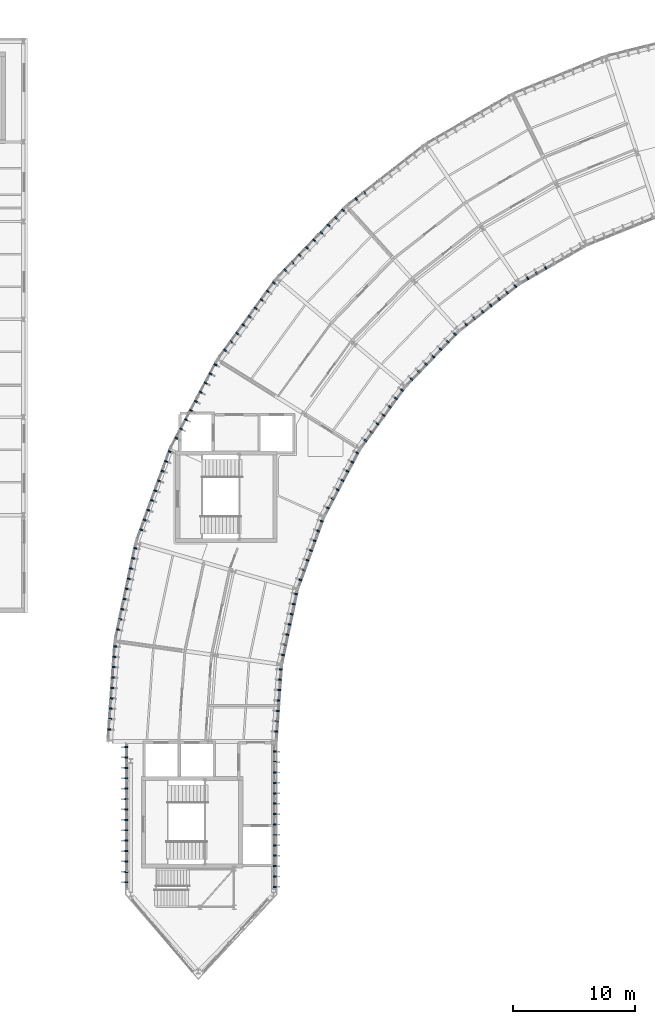
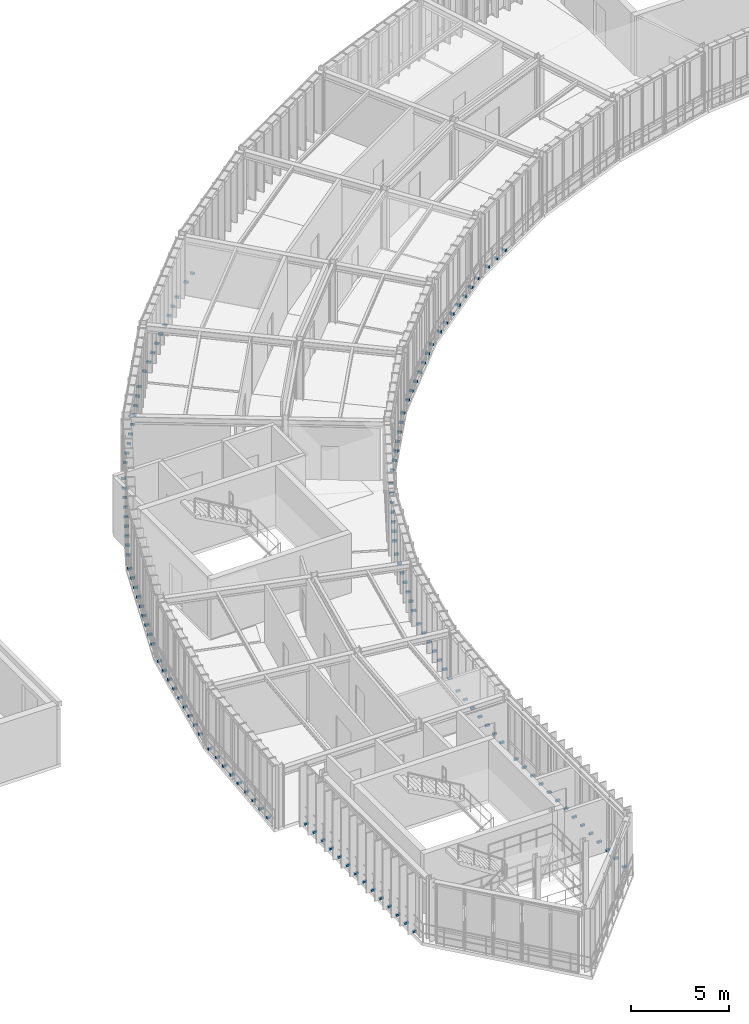
# One storey, part 33 of 41: 136 discrete accessories.
"""IFC4 building model written with IfcOpenShell, lengths in metres."""

from ifc_helpers import new_model, si_unit, direction, frame, origin, origin_2d, place, context, subcontext, project, spatial, rectangle, extrude, material, type_object, element, save


model = new_model("IFC4")

# Units and contexts
model_context = context("Model", 3, precision=1e-05, world=origin(), true_north=direction((0.0, 1.0)))
body_context = subcontext(model_context, "Body", "Model", "MODEL_VIEW")
ifc_project = project(units=[si_unit("LENGTHUNIT", "METRE"), si_unit("AREAUNIT", "SQUARE_METRE"), si_unit("VOLUMEUNIT", "CUBIC_METRE"), si_unit("PLANEANGLEUNIT", "RADIAN"), si_unit("MASSUNIT", "GRAM", prefix="KILO"), si_unit("THERMODYNAMICTEMPERATUREUNIT", "KELVIN"), si_unit("POWERUNIT", "WATT")], contexts=[model_context])

# Site, building, storey
site_placement = place(None, origin())
site = spatial("IfcSite", under=ifc_project, at=site_placement, CompositionType="ELEMENT")
building_placement = place(site_placement, origin())
building = spatial("IfcBuilding", under=site, at=building_placement, Name="Solvatero Civic Police Headquarters", CompositionType="ELEMENT")
storey_placement = place(building_placement, frame((0.0, 0.0, 17.699951171875)))
storey = spatial("IfcBuildingStorey", under=building, at=storey_placement, Name="L04", CompositionType="ELEMENT", Elevation=17.699951171875)

# Discrete accessories
ifc_material = material(Name="Steel S355", Category="steel")
discrete_accessory_type = type_object("IfcDiscreteAccessoryType", Name="ACC-BRK-FIN", PredefinedType="BRACKET", material=ifc_material)
for number, where, z_axis, x_axis, name in (
    (1, (70.9013671875, 64.695068359375, 0.0), (0.0, 0.0, 1.0), (-0.866025403784, -0.5, 0.0), "Slab-Edge Fin Bracket 0855"),
    (2, (70.165283203125, 64.27001953125, 0.0), (0.0, 0.0, 1.0), (-0.866025403784, -0.5, 0.0), "Slab-Edge Fin Bracket 0856"),
    (3, (69.42919921875, 63.844970703125, 0.0), (0.0, 0.0, 1.0), (-0.866025403784, -0.5, 0.0), "Slab-Edge Fin Bracket 0857"),
    (4, (56.0810546875, 70.848876953125, 0.0), (0.0, 0.0, 1.0), (-0.788010753607, -0.615661475326, 0.0), "Slab-Edge Fin Bracket 0865"),
    (5, (55.411376953125, 70.32568359375, 0.0), (0.0, 0.0, 1.0), (-0.788010753607, -0.615661475326, 0.0), "Slab-Edge Fin Bracket 0866"),
    (6, (68.427978515625, 63.203125, 0.0), (0.0, 0.0, 1.0), (-0.788010753607, -0.615661475326, 0.0), "Slab-Edge Fin Bracket 0867"),
    (7, (67.75830078125, 62.6796875, 0.0), (0.0, 0.0, 1.0), (-0.788010753607, -0.615661475326, 0.0), "Slab-Edge Fin Bracket 0868"),
    (8, (67.08837890625, 62.156494140625, 0.0), (0.0, 0.0, 1.0), (-0.788010753607, -0.615661475326, 0.0), "Slab-Edge Fin Bracket 0869"),
    (9, (66.418701171875, 61.633056640625, 0.0), (0.0, 0.0, 1.0), (-0.788010753607, -0.615661475326, 0.0), "Slab-Edge Fin Bracket 0870"),
    (10, (65.748779296875, 61.10986328125, 0.0), (0.0, 0.0, 1.0), (-0.788010753607, -0.615661475326, 0.0), "Slab-Edge Fin Bracket 0871"),
    (11, (65.0791015625, 60.58642578125, 0.0), (0.0, 0.0, 1.0), (-0.788010753607, -0.615661475326, 0.0), "Slab-Edge Fin Bracket 0872"),
    (12, (64.4091796875, 60.063232421875, 0.0), (0.0, 0.0, 1.0), (-0.788010753607, -0.615661475326, 0.0), "Slab-Edge Fin Bracket 0873"),
    (13, (54.334716796875, 69.407958984375, 0.0), (0.0, 0.0, 1.0), (-0.694645815505, -0.719351924305, 0.0), "Slab-Edge Fin Bracket 0874"),
    (14, (53.744140625, 68.796630859375, 0.0), (0.0, 0.0, 1.0), (-0.694645815505, -0.719351924305, 0.0), "Slab-Edge Fin Bracket 0875"),
    (15, (53.15380859375, 68.18505859375, 0.0), (0.0, 0.0, 1.0), (-0.694645815505, -0.719351924305, 0.0), "Slab-Edge Fin Bracket 0876"),
    (16, (52.563232421875, 67.57373046875, 0.0), (0.0, 0.0, 1.0), (-0.694645815505, -0.719351924305, 0.0), "Slab-Edge Fin Bracket 0877"),
    (17, (51.972900390625, 66.962158203125, 0.0), (0.0, 0.0, 1.0), (-0.694645815505, -0.719351924305, 0.0), "Slab-Edge Fin Bracket 0878"),
    (18, (51.38232421875, 66.350830078125, 0.0), (0.0, 0.0, 1.0), (-0.694645815505, -0.719351924305, 0.0), "Slab-Edge Fin Bracket 0879"),
    (19, (50.7919921875, 65.7392578125, 0.0), (0.0, 0.0, 1.0), (-0.694645815505, -0.719351924305, 0.0), "Slab-Edge Fin Bracket 0880"),
    (20, (50.201416015625, 65.1279296875, 0.0), (0.0, 0.0, 1.0), (-0.694645815505, -0.719351924305, 0.0), "Slab-Edge Fin Bracket 0881"),
    (21, (49.611083984375, 64.5166015625, 0.0), (0.0, 0.0, 1.0), (-0.694645815505, -0.719351924305, 0.0), "Slab-Edge Fin Bracket 0882"),
    (22, (63.4921875, 59.27490234375, 0.0), (0.0, 0.0, 1.0), (-0.694658370459, -0.719339800339, 0.0), "Slab-Edge Fin Bracket 0883"),
    (23, (62.901611328125, 58.663330078125, 0.0), (0.0, 0.0, 1.0), (-0.694658370459, -0.719339800339, 0.0), "Slab-Edge Fin Bracket 0884"),
    (24, (62.311279296875, 58.052001953125, 0.0), (0.0, 0.0, 1.0), (-0.694658370459, -0.719339800339, 0.0), "Slab-Edge Fin Bracket 0885"),
    (25, (61.720703125, 57.4404296875, 0.0), (0.0, 0.0, 1.0), (-0.694658370459, -0.719339800339, 0.0), "Slab-Edge Fin Bracket 0886"),
    (26, (61.13037109375, 56.8291015625, 0.0), (0.0, 0.0, 1.0), (-0.694658370459, -0.719339800339, 0.0), "Slab-Edge Fin Bracket 0887"),
    (27, (60.539794921875, 56.2177734375, 0.0), (0.0, 0.0, 1.0), (-0.694658370459, -0.719339800339, 0.0), "Slab-Edge Fin Bracket 0888"),
    (28, (59.949462890625, 55.606201171875, 0.0), (0.0, 0.0, 1.0), (-0.694658370459, -0.719339800339, 0.0), "Slab-Edge Fin Bracket 0889"),
    (29, (48.685302734375, 63.473388671875, 0.0), (0.0, 0.0, 1.0), (-0.587785252292, -0.809016994375, 0.0), "Slab-Edge Fin Bracket 0890"),
    (30, (48.185791015625, 62.78564453125, 0.0), (0.0, 0.0, 1.0), (-0.587785252292, -0.809016994375, 0.0), "Slab-Edge Fin Bracket 0891"),
    (31, (47.686279296875, 62.097900390625, 0.0), (0.0, 0.0, 1.0), (-0.587785252292, -0.809016994375, 0.0), "Slab-Edge Fin Bracket 0892"),
    (32, (47.1865234375, 61.410400390625, 0.0), (0.0, 0.0, 1.0), (-0.587785252292, -0.809016994375, 0.0), "Slab-Edge Fin Bracket 0893"),
    (33, (46.68701171875, 60.72265625, 0.0), (0.0, 0.0, 1.0), (-0.587785252292, -0.809016994375, 0.0), "Slab-Edge Fin Bracket 0894"),
    (34, (46.187255859375, 60.034912109375, 0.0), (0.0, 0.0, 1.0), (-0.587785252292, -0.809016994375, 0.0), "Slab-Edge Fin Bracket 0895"),
    (35, (45.687744140625, 59.347412109375, 0.0), (0.0, 0.0, 1.0), (-0.587785252292, -0.809016994375, 0.0), "Slab-Edge Fin Bracket 0896"),
    (36, (45.18798828125, 58.65966796875, 0.0), (0.0, 0.0, 1.0), (-0.587785252292, -0.809016994375, 0.0), "Slab-Edge Fin Bracket 0897"),
    (37, (44.6884765625, 57.971923828125, 0.0), (0.0, 0.0, 1.0), (-0.587785252292, -0.809016994375, 0.0), "Slab-Edge Fin Bracket 0898"),
    (38, (59.1640625, 54.71337890625, 0.0), (0.0, 0.0, 1.0), (-0.587799372213, -0.809006735464, 0.0), "Slab-Edge Fin Bracket 0899"),
    (39, (58.66455078125, 54.025634765625, 0.0), (0.0, 0.0, 1.0), (-0.587799372213, -0.809006735464, 0.0), "Slab-Edge Fin Bracket 0900"),
    (40, (58.164794921875, 53.337890625, 0.0), (0.0, 0.0, 1.0), (-0.587799372213, -0.809006735464, 0.0), "Slab-Edge Fin Bracket 0901"),
    (41, (57.665283203125, 52.650390625, 0.0), (0.0, 0.0, 1.0), (-0.587799372213, -0.809006735464, 0.0), "Slab-Edge Fin Bracket 0902"),
    (42, (57.16552734375, 51.962646484375, 0.0), (0.0, 0.0, 1.0), (-0.587799372213, -0.809006735464, 0.0), "Slab-Edge Fin Bracket 0903"),
    (43, (56.666015625, 51.27490234375, 0.0), (0.0, 0.0, 1.0), (-0.587799372213, -0.809006735464, 0.0), "Slab-Edge Fin Bracket 0904"),
    (44, (56.16650390625, 50.58740234375, 0.0), (0.0, 0.0, 1.0), (-0.587799372213, -0.809006735464, 0.0), "Slab-Edge Fin Bracket 0905"),
    (45, (43.906494140625, 56.793212890625, 0.0), (0.0, 0.0, 1.0), (-0.469486973057, -0.8829393989, 0.0), "Slab-Edge Fin Bracket 0906"),
    (46, (43.50732421875, 56.042724609375, 0.0), (0.0, 0.0, 1.0), (-0.469486973057, -0.8829393989, 0.0), "Slab-Edge Fin Bracket 0907"),
    (47, (43.1083984375, 55.292236328125, 0.0), (0.0, 0.0, 1.0), (-0.469486973057, -0.8829393989, 0.0), "Slab-Edge Fin Bracket 0908"),
    (48, (42.709228515625, 54.541748046875, 0.0), (0.0, 0.0, 1.0), (-0.469486973057, -0.8829393989, 0.0), "Slab-Edge Fin Bracket 0909"),
    (49, (42.310302734375, 53.791259765625, 0.0), (0.0, 0.0, 1.0), (-0.469486973057, -0.8829393989, 0.0), "Slab-Edge Fin Bracket 0910"),
    (50, (41.9111328125, 53.040771484375, 0.0), (0.0, 0.0, 1.0), (-0.469486973057, -0.8829393989, 0.0), "Slab-Edge Fin Bracket 0911"),
    (51, (41.51220703125, 52.290283203125, 0.0), (0.0, 0.0, 1.0), (-0.469486973057, -0.8829393989, 0.0), "Slab-Edge Fin Bracket 0912"),
    (52, (41.113037109375, 51.539794921875, 0.0), (0.0, 0.0, 1.0), (-0.469486973057, -0.8829393989, 0.0), "Slab-Edge Fin Bracket 0913"),
    (53, (40.714111328125, 50.789306640625, 0.0), (0.0, 0.0, 1.0), (-0.469486973057, -0.8829393989, 0.0), "Slab-Edge Fin Bracket 0914"),
    (54, (55.502197265625, 49.57666015625, 0.0), (0.0, 0.0, 1.0), (-0.469486973057, -0.8829393989, 0.0), "Slab-Edge Fin Bracket 0915"),
    (55, (55.103271484375, 48.826171875, 0.0), (0.0, 0.0, 1.0), (-0.469486973057, -0.8829393989, 0.0), "Slab-Edge Fin Bracket 0916"),
    (56, (54.7041015625, 48.07568359375, 0.0), (0.0, 0.0, 1.0), (-0.469486973057, -0.8829393989, 0.0), "Slab-Edge Fin Bracket 0917"),
    (57, (54.30517578125, 47.3251953125, 0.0), (0.0, 0.0, 1.0), (-0.469486973057, -0.8829393989, 0.0), "Slab-Edge Fin Bracket 0918"),
    (58, (53.906005859375, 46.57470703125, 0.0), (0.0, 0.0, 1.0), (-0.469486973057, -0.8829393989, 0.0), "Slab-Edge Fin Bracket 0919"),
    (59, (53.507080078125, 45.82421875, 0.0), (0.0, 0.0, 1.0), (-0.469486973057, -0.8829393989, 0.0), "Slab-Edge Fin Bracket 0920"),
    (60, (53.10791015625, 45.07373046875, 0.0), (0.0, 0.0, 1.0), (-0.469486973057, -0.8829393989, 0.0), "Slab-Edge Fin Bracket 0921"),
    (61, (40.16845703125, 49.687255859375, 0.0), (0.0, 0.0, 1.0), (-0.342020143326, -0.939692620786, 0.0), "Slab-Edge Fin Bracket 0922"),
    (62, (39.877685546875, 48.888427734375, 0.0), (0.0, 0.0, 1.0), (-0.342020143326, -0.939692620786, 0.0), "Slab-Edge Fin Bracket 0923"),
    (63, (39.587158203125, 48.08984375, 0.0), (0.0, 0.0, 1.0), (-0.342020143326, -0.939692620786, 0.0), "Slab-Edge Fin Bracket 0924"),
    (64, (39.29638671875, 47.291015625, 0.0), (0.0, 0.0, 1.0), (-0.342020143326, -0.939692620786, 0.0), "Slab-Edge Fin Bracket 0925"),
    (65, (39.005615234375, 46.4921875, 0.0), (0.0, 0.0, 1.0), (-0.342020143326, -0.939692620786, 0.0), "Slab-Edge Fin Bracket 0926"),
    (66, (38.71484375, 45.693603515625, 0.0), (0.0, 0.0, 1.0), (-0.342020143326, -0.939692620786, 0.0), "Slab-Edge Fin Bracket 0927"),
    (67, (38.42431640625, 44.894775390625, 0.0), (0.0, 0.0, 1.0), (-0.342020143326, -0.939692620786, 0.0), "Slab-Edge Fin Bracket 0928"),
    (68, (38.133544921875, 44.09619140625, 0.0), (0.0, 0.0, 1.0), (-0.342020143326, -0.939692620786, 0.0), "Slab-Edge Fin Bracket 0929"),
    (69, (37.8427734375, 43.29736328125, 0.0), (0.0, 0.0, 1.0), (-0.342020143326, -0.939692620786, 0.0), "Slab-Edge Fin Bracket 0930"),
    (70, (52.59912109375, 43.998779296875, 0.0), (0.0, 0.0, 1.0), (-0.342003742543, -0.93969859002, 0.0), "Slab-Edge Fin Bracket 0931"),
    (71, (52.308349609375, 43.2001953125, 0.0), (0.0, 0.0, 1.0), (-0.342003742543, -0.93969859002, 0.0), "Slab-Edge Fin Bracket 0932"),
    (72, (52.017578125, 42.4013671875, 0.0), (0.0, 0.0, 1.0), (-0.342003742543, -0.93969859002, 0.0), "Slab-Edge Fin Bracket 0933"),
    (73, (51.726806640625, 41.6025390625, 0.0), (0.0, 0.0, 1.0), (-0.342003742543, -0.93969859002, 0.0), "Slab-Edge Fin Bracket 0934"),
    (74, (51.436279296875, 40.803955078125, 0.0), (0.0, 0.0, 1.0), (-0.342003742543, -0.93969859002, 0.0), "Slab-Edge Fin Bracket 0935"),
    (75, (51.1455078125, 40.005126953125, 0.0), (0.0, 0.0, 1.0), (-0.342003742543, -0.93969859002, 0.0), "Slab-Edge Fin Bracket 0936"),
    (76, (50.854736328125, 39.206298828125, 0.0), (0.0, 0.0, 1.0), (-0.342003742543, -0.93969859002, 0.0), "Slab-Edge Fin Bracket 0937"),
    (77, (37.359130859375, 41.792724609375, 0.0), (0.0, 0.0, 1.0), (-0.207911690818, -0.978147600734, 0.0), "Slab-Edge Fin Bracket 0938"),
    (78, (37.182373046875, 40.961181640625, 0.0), (0.0, 0.0, 1.0), (-0.207911690818, -0.978147600734, 0.0), "Slab-Edge Fin Bracket 0939"),
    (79, (37.005615234375, 40.1298828125, 0.0), (0.0, 0.0, 1.0), (-0.207911690818, -0.978147600734, 0.0), "Slab-Edge Fin Bracket 0940"),
    (80, (36.828857421875, 39.29833984375, 0.0), (0.0, 0.0, 1.0), (-0.207911690818, -0.978147600734, 0.0), "Slab-Edge Fin Bracket 0941"),
    (81, (36.652099609375, 38.467041015625, 0.0), (0.0, 0.0, 1.0), (-0.207911690818, -0.978147600734, 0.0), "Slab-Edge Fin Bracket 0942"),
    (82, (36.4755859375, 37.635498046875, 0.0), (0.0, 0.0, 1.0), (-0.207911690818, -0.978147600734, 0.0), "Slab-Edge Fin Bracket 0943"),
    (83, (36.298828125, 36.80419921875, 0.0), (0.0, 0.0, 1.0), (-0.207911690818, -0.978147600734, 0.0), "Slab-Edge Fin Bracket 0944"),
    (84, (36.1220703125, 35.97265625, 0.0), (0.0, 0.0, 1.0), (-0.207911690818, -0.978147600734, 0.0), "Slab-Edge Fin Bracket 0945"),
    (85, (35.9453125, 35.141357421875, 0.0), (0.0, 0.0, 1.0), (-0.207911690818, -0.978147600734, 0.0), "Slab-Edge Fin Bracket 0946"),
    (86, (50.4951171875, 38.052001953125, 0.0), (0.0, 0.0, 1.0), (-0.207911690818, -0.978147600734, 0.0), "Slab-Edge Fin Bracket 0947"),
    (87, (50.318359375, 37.220703125, 0.0), (0.0, 0.0, 1.0), (-0.207911690818, -0.978147600734, 0.0), "Slab-Edge Fin Bracket 0948"),
    (88, (50.1416015625, 36.38916015625, 0.0), (0.0, 0.0, 1.0), (-0.207911690818, -0.978147600734, 0.0), "Slab-Edge Fin Bracket 0949"),
    (89, (49.96484375, 35.557861328125, 0.0), (0.0, 0.0, 1.0), (-0.207911690818, -0.978147600734, 0.0), "Slab-Edge Fin Bracket 0950"),
    (90, (49.7880859375, 34.726318359375, 0.0), (0.0, 0.0, 1.0), (-0.207911690818, -0.978147600734, 0.0), "Slab-Edge Fin Bracket 0951"),
    (91, (49.611328125, 33.89501953125, 0.0), (0.0, 0.0, 1.0), (-0.207911690818, -0.978147600734, 0.0), "Slab-Edge Fin Bracket 0952"),
    (92, (49.4345703125, 33.0634765625, 0.0), (0.0, 0.0, 1.0), (-0.207911690818, -0.978147600734, 0.0), "Slab-Edge Fin Bracket 0953"),
    (93, (35.713134765625, 33.76611328125, 0.0), (0.0, 0.0, 1.0), (-0.069739062956, -0.997565267588, 0.0), "Slab-Edge Fin Bracket 0954"),
    (94, (35.65380859375, 32.918212890625, 0.0), (0.0, 0.0, 1.0), (-0.069739062956, -0.997565267588, 0.0), "Slab-Edge Fin Bracket 0955"),
    (95, (35.594482421875, 32.0703125, 0.0), (0.0, 0.0, 1.0), (-0.069739062956, -0.997565267588, 0.0), "Slab-Edge Fin Bracket 0956"),
    (96, (35.535400390625, 31.222412109375, 0.0), (0.0, 0.0, 1.0), (-0.069739062956, -0.997565267588, 0.0), "Slab-Edge Fin Bracket 0957"),
    (97, (35.47607421875, 30.37451171875, 0.0), (0.0, 0.0, 1.0), (-0.069739062956, -0.997565267588, 0.0), "Slab-Edge Fin Bracket 0958"),
    (98, (35.416748046875, 29.526611328125, 0.0), (0.0, 0.0, 1.0), (-0.069739062956, -0.997565267588, 0.0), "Slab-Edge Fin Bracket 0959"),
    (99, (35.357421875, 28.678466796875, 0.0), (0.0, 0.0, 1.0), (-0.069739062956, -0.997565267588, 0.0), "Slab-Edge Fin Bracket 0960"),
    (100, (35.298095703125, 27.83056640625, 0.0), (0.0, 0.0, 1.0), (-0.069739062956, -0.997565267588, 0.0), "Slab-Edge Fin Bracket 0961"),
    (101, (35.23876953125, 26.982666015625, 0.0), (0.0, 0.0, 1.0), (-0.069739062956, -0.997565267588, 0.0), "Slab-Edge Fin Bracket 0962"),
    (102, (49.24169921875, 31.889892578125, 0.0), (0.0, 0.0, 1.0), (-0.069773884511, -0.997562832628, 0.0), "Slab-Edge Fin Bracket 0963"),
    (103, (49.1826171875, 31.0419921875, 0.0), (0.0, 0.0, 1.0), (-0.069773884511, -0.997562832628, 0.0), "Slab-Edge Fin Bracket 0964"),
    (104, (49.123291015625, 30.194091796875, 0.0), (0.0, 0.0, 1.0), (-0.069773884511, -0.997562832628, 0.0), "Slab-Edge Fin Bracket 0965"),
    (105, (49.06396484375, 29.34619140625, 0.0), (0.0, 0.0, 1.0), (-0.069773884511, -0.997562832628, 0.0), "Slab-Edge Fin Bracket 0966"),
    (106, (49.004638671875, 28.498291015625, 0.0), (0.0, 0.0, 1.0), (-0.069773884511, -0.997562832628, 0.0), "Slab-Edge Fin Bracket 0967"),
    (107, (48.9453125, 27.650390625, 0.0), (0.0, 0.0, 1.0), (-0.069773884511, -0.997562832628, 0.0), "Slab-Edge Fin Bracket 0968"),
    (108, (48.885986328125, 26.802490234375, 0.0), (0.0, 0.0, 1.0), (-0.069773884511, -0.997562832628, 0.0), "Slab-Edge Fin Bracket 0969"),
    (109, (36.6298828125, 25.5400390625, 0.0), (0.0, 0.0, 1.0), (0.0, -1.0, 0.0), "Slab-Edge Fin Bracket 0970"),
    (110, (36.6298828125, 24.68994140625, 0.0), (0.0, 0.0, 1.0), (0.0, -1.0, 0.0), "Slab-Edge Fin Bracket 0971"),
    (111, (36.6298828125, 23.840087890625, 0.0), (0.0, 0.0, 1.0), (0.0, -1.0, 0.0), "Slab-Edge Fin Bracket 0972"),
    (112, (36.6298828125, 22.989990234375, 0.0), (0.0, 0.0, 1.0), (0.0, -1.0, 0.0), "Slab-Edge Fin Bracket 0973"),
    (113, (36.6298828125, 22.139892578125, 0.0), (0.0, 0.0, 1.0), (0.0, -1.0, 0.0), "Slab-Edge Fin Bracket 0974"),
    (114, (36.6298828125, 21.2900390625, 0.0), (0.0, 0.0, 1.0), (0.0, -1.0, 0.0), "Slab-Edge Fin Bracket 0975"),
    (115, (36.6298828125, 20.43994140625, 0.0), (0.0, 0.0, 1.0), (0.0, -1.0, 0.0), "Slab-Edge Fin Bracket 0976"),
    (116, (36.6298828125, 19.590087890625, 0.0), (0.0, 0.0, 1.0), (0.0, -1.0, 0.0), "Slab-Edge Fin Bracket 0977"),
    (117, (36.6298828125, 18.739990234375, 0.0), (0.0, 0.0, 1.0), (0.0, -1.0, 0.0), "Slab-Edge Fin Bracket 0978"),
    (118, (36.6298828125, 17.889892578125, 0.0), (0.0, 0.0, 1.0), (0.0, -1.0, 0.0), "Slab-Edge Fin Bracket 0979"),
    (119, (36.6298828125, 17.0400390625, 0.0), (0.0, 0.0, 1.0), (0.0, -1.0, 0.0), "Slab-Edge Fin Bracket 0980"),
    (120, (36.6298828125, 16.18994140625, 0.0), (0.0, 0.0, 1.0), (0.0, -1.0, 0.0), "Slab-Edge Fin Bracket 0981"),
    (121, (36.6298828125, 15.340087890625, 0.0), (0.0, 0.0, 1.0), (0.0, -1.0, 0.0), "Slab-Edge Fin Bracket 0982"),
    (122, (36.6298828125, 14.489990234375, 0.0), (0.0, 0.0, 1.0), (0.0, -1.0, 0.0), "Slab-Edge Fin Bracket 0983"),
    (123, (48.77001953125, 14.110107421875, 0.0), (0.0, 0.0, 1.0), (0.0, 1.0, 0.0), "Slab-Edge Fin Bracket 0984"),
    (124, (48.77001953125, 14.9599609375, 0.0), (0.0, 0.0, 1.0), (0.0, 1.0, 0.0), "Slab-Edge Fin Bracket 0985"),
    (125, (48.77001953125, 15.81005859375, 0.0), (0.0, 0.0, 1.0), (0.0, 1.0, 0.0), "Slab-Edge Fin Bracket 0986"),
    (126, (48.77001953125, 16.659912109375, 0.0), (0.0, 0.0, 1.0), (0.0, 1.0, 0.0), "Slab-Edge Fin Bracket 0987"),
    (127, (48.77001953125, 17.510009765625, 0.0), (0.0, 0.0, 1.0), (0.0, 1.0, 0.0), "Slab-Edge Fin Bracket 0988"),
    (128, (48.77001953125, 18.360107421875, 0.0), (0.0, 0.0, 1.0), (0.0, 1.0, 0.0), "Slab-Edge Fin Bracket 0989"),
    (129, (48.77001953125, 19.2099609375, 0.0), (0.0, 0.0, 1.0), (0.0, 1.0, 0.0), "Slab-Edge Fin Bracket 0990"),
    (130, (48.77001953125, 20.06005859375, 0.0), (0.0, 0.0, 1.0), (0.0, 1.0, 0.0), "Slab-Edge Fin Bracket 0991"),
    (131, (48.77001953125, 20.909912109375, 0.0), (0.0, 0.0, 1.0), (0.0, 1.0, 0.0), "Slab-Edge Fin Bracket 0992"),
    (132, (48.77001953125, 21.760009765625, 0.0), (0.0, 0.0, 1.0), (0.0, 1.0, 0.0), "Slab-Edge Fin Bracket 0993"),
    (133, (48.77001953125, 22.610107421875, 0.0), (0.0, 0.0, 1.0), (0.0, 1.0, 0.0), "Slab-Edge Fin Bracket 0994"),
    (134, (48.77001953125, 23.4599609375, 0.0), (0.0, 0.0, 1.0), (0.0, 1.0, 0.0), "Slab-Edge Fin Bracket 0995"),
    (135, (48.77001953125, 24.31005859375, 0.0), (0.0, 0.0, 1.0), (0.0, 1.0, 0.0), "Slab-Edge Fin Bracket 0996"),
    (136, (48.77001953125, 25.159912109375, 0.0), (0.0, 0.0, 1.0), (0.0, 1.0, 0.0), "Slab-Edge Fin Bracket 0997"),
):
    element("IfcDiscreteAccessory", number, at=place(storey_placement, frame(where, z_axis=z_axis, x_axis=x_axis)), inside=storey, type_object=discrete_accessory_type, Name=name, PredefinedType="BRACKET", context=body_context, shape_type="SweptSolid", body=[
        extrude(rectangle(XDim=0.1201171875, YDim=0.239990234375, at=origin_2d()), origin(), (0.0, 0.0, 1.0), 0.1201171875),
    ])

save(model, "model.ifc")
